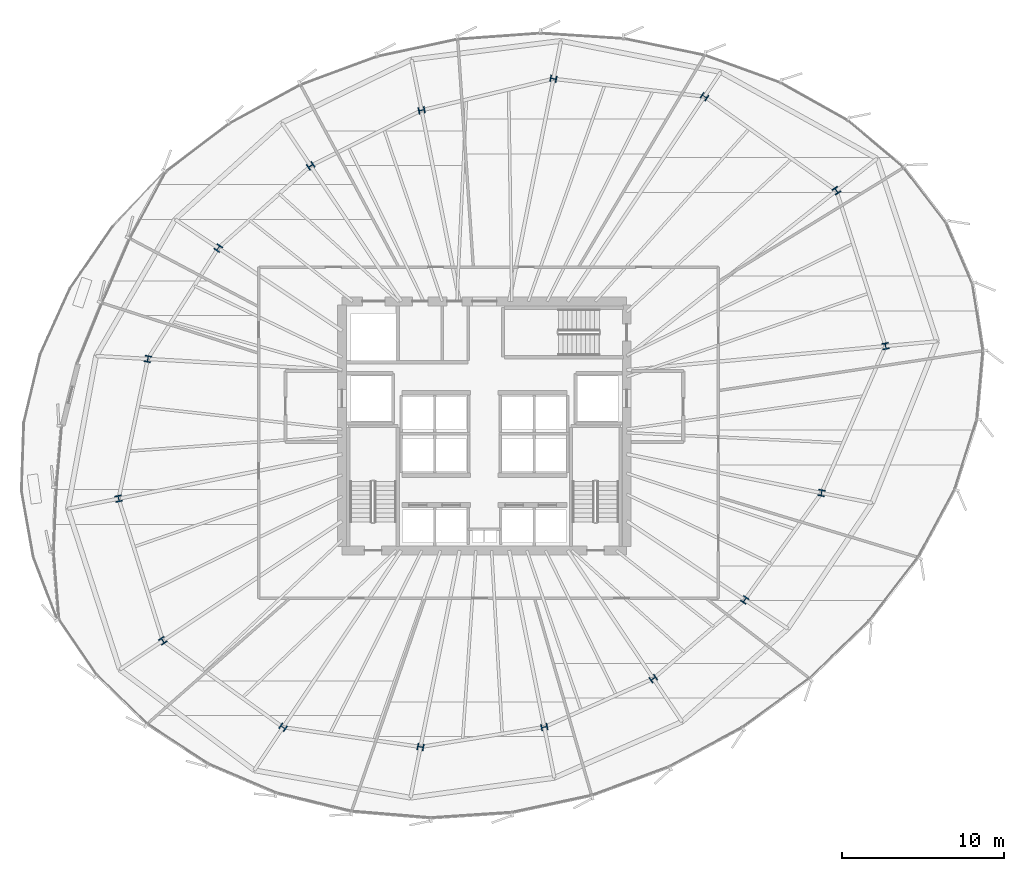
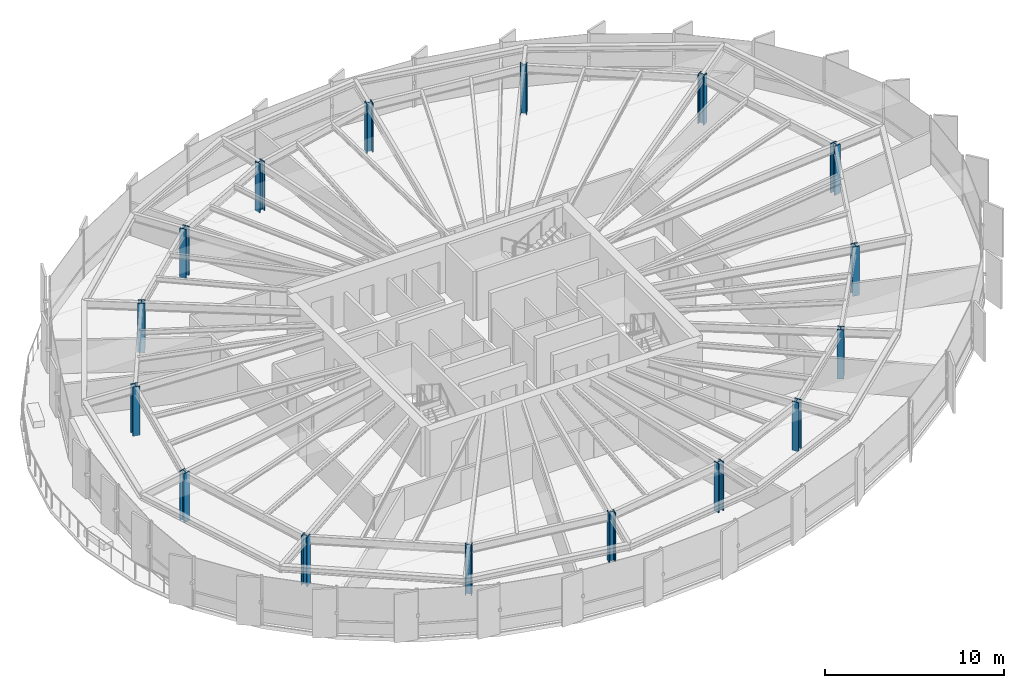
# One storey, part 1 of 35: 16 columns.
"""IFC4 building model written with IfcOpenShell, lengths in metres."""

from ifc_helpers import new_model, si_unit, direction, frame, origin, origin_2d, place, context, subcontext, project, spatial, i_section, extrude, source, transform, mapped, material, material_profile, profile_set, type_object, element, save


model = new_model("IFC4")

# Units and contexts
model_context = context("Model", 3, precision=1e-05, world=origin(), true_north=direction((0.0, 1.0)))
body_context = subcontext(model_context, "Body", "Model", "MODEL_VIEW")
ifc_project = project(units=[si_unit("LENGTHUNIT", "METRE"), si_unit("AREAUNIT", "SQUARE_METRE"), si_unit("VOLUMEUNIT", "CUBIC_METRE"), si_unit("PLANEANGLEUNIT", "RADIAN"), si_unit("MASSUNIT", "GRAM", prefix="KILO"), si_unit("THERMODYNAMICTEMPERATUREUNIT", "KELVIN")], contexts=[model_context])

# Site, building, storey
site_placement = place(None, origin())
site = spatial("IfcSite", under=ifc_project, at=site_placement, CompositionType="ELEMENT")
building_placement = place(site_placement, origin())
building = spatial("IfcBuilding", under=site, at=building_placement, Name="Kethvar Cultural Tower", CompositionType="ELEMENT")
storey_placement = place(building_placement, frame((0.0, 0.0, 100.0)))
storey = spatial("IfcBuildingStorey", under=building, at=storey_placement, Name="L24", CompositionType="ELEMENT", Elevation=100.0)

# Columns
ifc_material = material(Name="Steel S460M", Category="steel")
ifc_material_profile = material_profile(ifc_material, i_section(OverallWidth=0.405029296875, OverallDepth=0.39794921875, WebThickness=0.034912109375, FlangeThickness=0.055908203125, FilletRadius=0.014892578125, at=origin_2d()), Name="Steel S460M — HD400x744")
ifc_profile_set = profile_set([ifc_material_profile], Name="Steel S460M — HD400x744")
column_type = type_object("IfcColumnType", Name="COL-HD744", PredefinedType="COLUMN", material=ifc_profile_set)
shared_shape = source(origin(), body_context, "Body", "SweptSolid", [
    extrude(i_section(OverallWidth=0.405029296875, OverallDepth=0.39794921875, WebThickness=0.034912109375, FlangeThickness=0.055908203125, FilletRadius=0.014892578125, at=origin_2d()), origin(), (0.0, 0.0, 1.0), 3.35009765625),
])
for number, where, z_axis, x_axis, name in (
    (1, (71.6025390625, 32.7333984375, 0.0), (0.0, 0.0, 1.0), (0.980785280403, 0.195090322016, 0.0), "L24 Mega-Column MC-01"),
    (2, (68.568603515625, 42.34521484375, 0.0), (0.0, 0.0, 1.0), (0.831469612303, 0.55557023302, 0.0), "L24 Mega-Column MC-02"),
    (3, (60.40478515625, 48.160888671875, 0.0), (0.0, 0.0, 1.0), (0.55557023302, 0.831469612303, 0.0), "L24 Mega-Column MC-03"),
    (4, (51.068603515625, 49.25927734375, 0.0), (0.0, 0.0, 1.0), (0.195090322016, 0.980785280403, 0.0), "L24 Mega-Column MC-04"),
    (5, (42.9189453125, 47.311279296875, 0.0), (0.0, 0.0, 1.0), (-0.195090322016, 0.980785280403, 0.0), "L24 Mega-Column MC-05"),
    (6, (36.0576171875, 43.877197265625, 0.0), (0.0, 0.0, 1.0), (-0.55557023302, 0.831469612303, 0.0), "L24 Mega-Column MC-06"),
    (7, (30.345947265625, 38.794189453125, 0.0), (0.0, 0.0, 1.0), (-0.831469612303, 0.55557023302, 0.0), "L24 Mega-Column MC-07"),
    (8, (25.988525390625, 31.939697265625, 0.0), (0.0, 0.0, 1.0), (-0.980785280403, 0.195090322016, 0.0), "L24 Mega-Column MC-08"),
    (9, (24.185302734375, 23.3017578125, 0.0), (0.0, 0.0, 1.0), (-0.980785280403, -0.195090322016, 0.0), "L24 Mega-Column MC-09"),
    (10, (26.920654296875, 14.51708984375, 0.0), (0.0, 0.0, 1.0), (-0.831469612303, -0.55557023302, 0.0), "L24 Mega-Column MC-10"),
    (11, (34.350830078125, 9.16845703125, 0.0), (0.0, 0.0, 1.0), (-0.55557023302, -0.831469612303, 0.0), "L24 Mega-Column MC-11"),
    (12, (42.852294921875, 7.95361328125, 0.0), (0.0, 0.0, 1.0), (-0.195090322016, -0.980785280403, 0.0), "L24 Mega-Column MC-12"),
    (13, (50.50341796875, 9.182373046875, 0.0), (0.0, 0.0, 1.0), (0.195090322016, -0.980785280403, 0.0), "L24 Mega-Column MC-13"),
    (14, (57.241943359375, 12.17236328125, 0.0), (0.0, 0.0, 1.0), (0.55557023302, -0.831469612303, 0.0), "L24 Mega-Column MC-14"),
    (15, (62.898681640625, 17.043212890625, 0.0), (0.0, 0.0, 1.0), (0.831469612303, -0.55557023302, 0.0), "L24 Mega-Column MC-15"),
    (16, (67.638671875, 23.65478515625, 0.0), (0.0, 0.0, 1.0), (0.980785280403, -0.195090322016, 0.0), "L24 Mega-Column MC-16"),
):
    element("IfcColumn", number, at=place(storey_placement, frame(where, z_axis=z_axis, x_axis=x_axis)), inside=storey, type_object=column_type, Name=name, PredefinedType="COLUMN", context=body_context, shape_type="MappedRepresentation", body=[
        mapped(shared_shape, transform((0.0, 0.0, 0.0), scale=1.0)),
    ])

save(model, "model.ifc")
